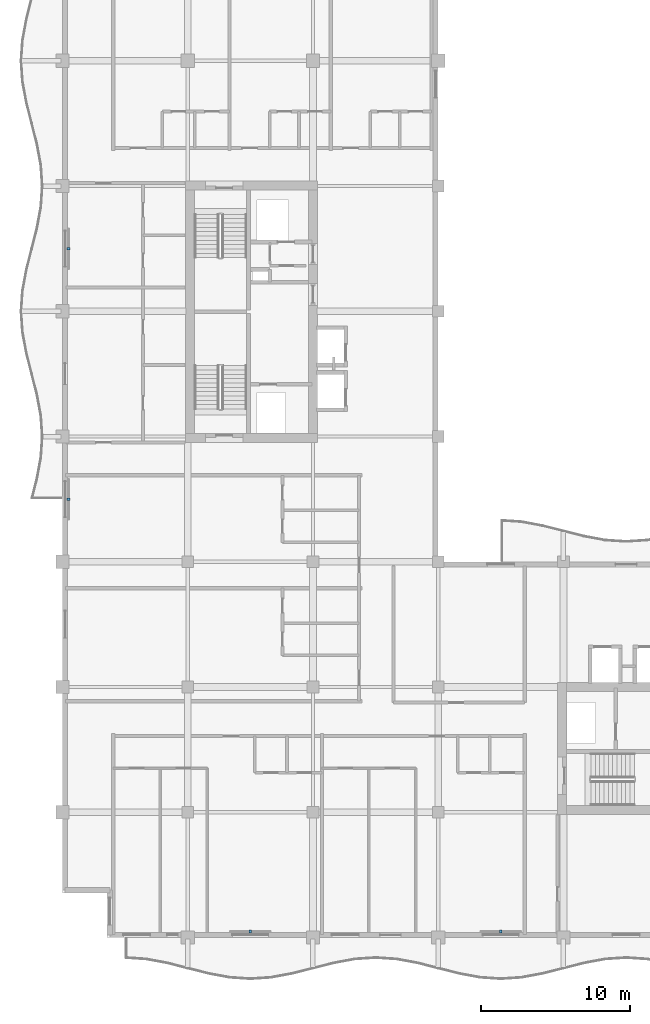
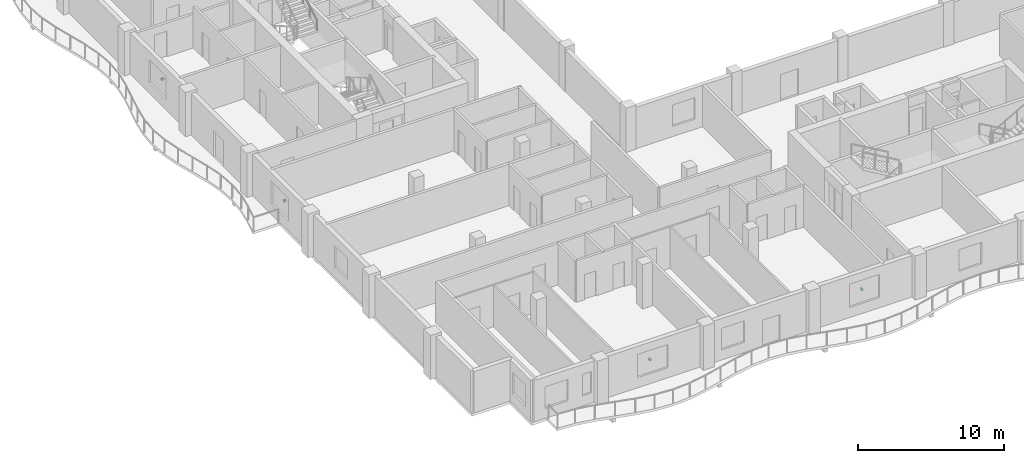
# One storey, part 12 of 16: 4 discrete accessories.
"""IFC4 building model written with IfcOpenShell, lengths in metres."""

from ifc_helpers import new_model, si_unit, direction, frame, origin, origin_2d, place, context, subcontext, project, spatial, rectangle, extrude, material, type_object, element, save


model = new_model("IFC4")

# Units and contexts
model_context = context("Model", 3, precision=1e-05, world=origin(), true_north=direction((0.0, 1.0)))
body_context = subcontext(model_context, "Body", "Model", "MODEL_VIEW")
ifc_project = project(units=[si_unit("LENGTHUNIT", "METRE"), si_unit("AREAUNIT", "SQUARE_METRE"), si_unit("VOLUMEUNIT", "CUBIC_METRE"), si_unit("PLANEANGLEUNIT", "RADIAN"), si_unit("MASSUNIT", "GRAM", prefix="KILO")], contexts=[model_context])

# Site, building, storey
site_placement = place(None, origin())
site = spatial("IfcSite", under=ifc_project, at=site_placement, CompositionType="ELEMENT")
building_placement = place(site_placement, origin())
building = spatial("IfcBuilding", under=site, at=building_placement, Name="Koriwani Terraces Tower", CompositionType="ELEMENT")
storey_placement = place(building_placement, frame((0.0, 0.0, 260.10009765625)))
storey = spatial("IfcBuildingStorey", under=building, at=storey_placement, Name="L64", CompositionType="ELEMENT", Elevation=260.10009765625)

# Discrete accessories
ifc_material = material(Name="Steel ASTM A572 Grade 50", Category="steel")
discrete_accessory_type = type_object("IfcDiscreteAccessoryType", Name="BAGUETTE_STANDOFF_BRACKET", PredefinedType="BRACKET", material=ifc_material)
for number, where, z_axis, x_axis, name in (
    (1, (8.7900390625, 37.800048828125, 1.64501953125), (0.0, 0.0, 1.0), (0.0, 1.0, 0.0), "L64 Terracotta Baguette Bracket (W-9)"),
    (2, (8.7900390625, 54.60009765625, 1.64501953125), (0.0, 0.0, 1.0), (0.0, 1.0, 0.0), "L64 Terracotta Baguette Bracket (W-15)"),
    (3, (21.0, 8.7900390625, 1.64501953125), (0.0, 0.0, 1.0), (-1.0, 0.0, 0.0), "L64 Terracotta Baguette Bracket (S-3)"),
    (4, (37.800048828125, 8.7900390625, 1.64501953125), (0.0, 0.0, 1.0), (-1.0, 0.0, 0.0), "L64 Terracotta Baguette Bracket (S-9)"),
):
    element("IfcDiscreteAccessory", number, at=place(storey_placement, frame(where, z_axis=z_axis, x_axis=x_axis)), inside=storey, type_object=discrete_accessory_type, Name=name, PredefinedType="BRACKET", context=body_context, shape_type="SweptSolid", body=[
        extrude(rectangle(XDim=0.159912109375, YDim=0.199951171875, at=origin_2d()), origin(), (0.0, 0.0, 1.0), 0.179931640625),
    ])

save(model, "model.ifc")
